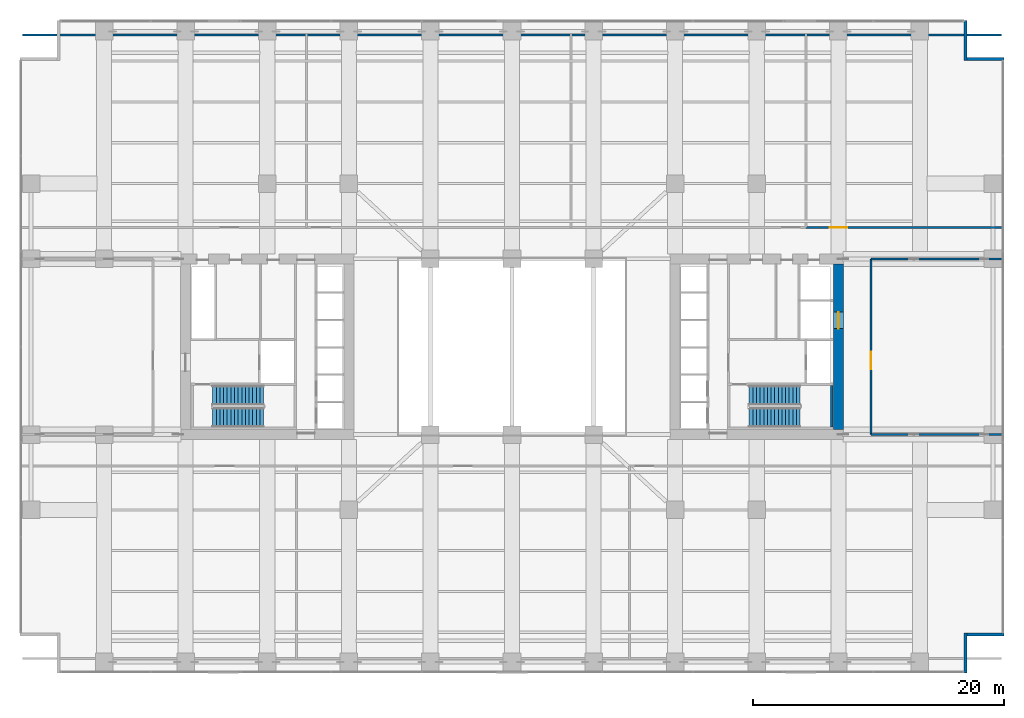
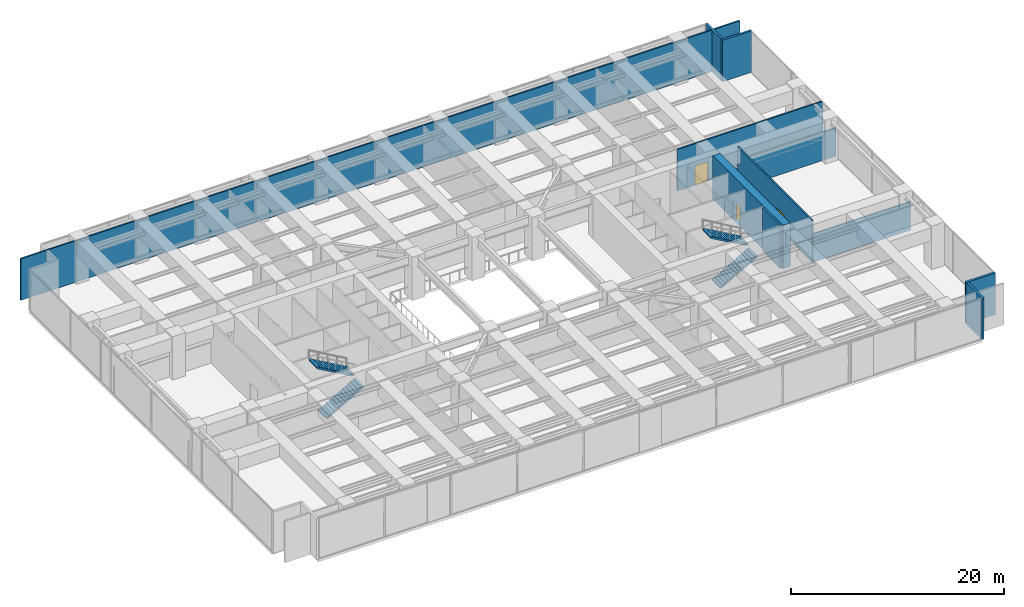
# One storey, part 27 of 31: 11 walls, 4 stair flights, 3 doors, 3 openings, 2 elements without a shape of their own.
"""IFC4 building model written with IfcOpenShell, lengths in metres."""

from ifc_helpers import new_model, si_unit, direction, frame, frame_2d, origin, place, context, subcontext, project, spatial, polyline, rectangle, outline, extrude, material, layer, layer_set, type_object, element, fill, aggregate, save


model = new_model("IFC4")

# Units and contexts
model_context = context("Model", 3, precision=1e-05, world=origin(), true_north=direction((0.0, 1.0)))
body_context = subcontext(model_context, "Body", "Model", "MODEL_VIEW")
ifc_project = project(units=[si_unit("LENGTHUNIT", "METRE"), si_unit("AREAUNIT", "SQUARE_METRE"), si_unit("VOLUMEUNIT", "CUBIC_METRE"), si_unit("PLANEANGLEUNIT", "RADIAN"), si_unit("MASSUNIT", "GRAM", prefix="KILO")], contexts=[model_context])

# Site, building, storey
site_placement = place(None, origin())
site = spatial("IfcSite", under=ifc_project, at=site_placement, CompositionType="ELEMENT")
building_placement = place(site_placement, origin())
building = spatial("IfcBuilding", under=site, at=building_placement, Name="Putna Gate Headquarters", CompositionType="ELEMENT")
storey_placement = place(building_placement, frame((0.0, 0.0, 81.0)))
storey = spatial("IfcBuildingStorey", under=building, at=storey_placement, Name="L19", CompositionType="ELEMENT", Elevation=81.0)

# Wall, opening, door
ifc_material_1 = material(Name="Concrete C60/75", Category="concrete")
ifc_layer_1 = layer(ifc_material_1, 0.800048828125)
ifc_layer_set_1 = layer_set([ifc_layer_1], Name="Concrete C60/75")
wall_type_1 = type_object("IfcWallType", Name="WALL-CORE-800", PredefinedType="SHEAR", material=ifc_layer_set_1)
wall_1_placement = place(storey_placement, frame((65.0, 19.39990234375, 0.0), z_axis=(0.0, 0.0, 1.0), x_axis=(0.0, 1.0, 0.0)))
wall_1 = element("IfcWall", 1, at=wall_1_placement, inside=storey, type_object=wall_type_1, Name="L19 EC Split Core Shear Wall E", PredefinedType="SHEAR", context=body_context, shape_type="SweptSolid", body=[
    extrude(rectangle(XDim=13.2001953125, YDim=0.800048828125, at=frame_2d((6.60009765625, 0.0))), origin(), (0.0, 0.0, 1.0), 5.0),
])
opening_1_placement = place(wall_1_placement, frame((8.050048828125, 0.0, 0.0)))
opening_1 = element("IfcOpeningElement", 2, at=opening_1_placement, cuts=wall_1, Name="Opening LD-2", PredefinedType="OPENING", context=body_context, shape_type="SweptSolid", body=[
    extrude(rectangle(XDim=1.300048828125, YDim=2.199951171875, at=frame_2d((0.64990234375, 1.10009765625))), frame((0.0, 0.409912109375, 0.0), z_axis=(0.0, -1.0, 0.0), x_axis=(1.0, 0.0, 0.0)), (0.0, 0.0, 1.0), 0.820068359375),
])
ifc_material_2 = material(Name="Heavy-duty goods lift sliding landing door")
door_type_1 = type_object("IfcDoorType", Name="DOOR-LIFT-1300", OperationType="DOUBLE_DOOR_SLIDING", PredefinedType="DOOR", material=ifc_material_2)
door_1_placement = place(opening_1_placement, origin())
door_1 = element("IfcDoor", 3, at=door_1_placement, inside=storey, type_object=door_type_1, Name="L19 Goods Lift Landing Door LD-15", OperationType="DOUBLE_DOOR_SLIDING", OverallHeight=2.199951171875, OverallWidth=1.300048828125, PredefinedType="DOOR", context=body_context, shape_type="SweptSolid", body=[
    extrude(rectangle(XDim=1.300048828125, YDim=2.199951171875, at=frame_2d((0.64990234375, 1.10009765625))), frame((0.0, 0.02490234375, 0.0), z_axis=(0.0, -1.0, 0.0), x_axis=(1.0, 0.0, 0.0)), (0.0, 0.0, 1.0), 0.050048828125),
])
fill(opening_1, door_1)

# Walls
ifc_material_3 = material(Name="Precast concrete C40/50", Category="concrete")
ifc_layer_2 = layer(ifc_material_3, 0.239990234375)
ifc_layer_set_2 = layer_set([ifc_layer_2], Name="Precast concrete C40/50")
wall_type_2 = type_object("IfcWallType", Name="WALL-EXT-TERR-240", PredefinedType="STANDARD", material=ifc_layer_set_2)
for number, where, z_axis, x_axis, name in (
    (4, (75.1201171875, 52.0, 0.0), (0.0, 0.0, 1.0), (0.0, -1.0, 0.0), "L19 Corner Notch Return Wall NE-V"),
    (5, (75.0, 48.919921875, 0.0), (0.0, 0.0, 1.0), (1.0, 0.0, 0.0), "L19 Corner Notch Return Wall NE-H"),
    (6, (75.1201171875, 3.199951171875, 0.0), (0.0, 0.0, 1.0), (0.0, -1.0, 0.0), "L19 Corner Notch Return Wall SE-V"),
    (7, (78.199951171875, 3.080078125, 0.0), (0.0, 0.0, 1.0), (-1.0, 0.0, 0.0), "L19 Corner Notch Return Wall SE-H"),
):
    element("IfcWall", number, at=place(storey_placement, frame(where, z_axis=z_axis, x_axis=x_axis)), inside=storey, type_object=wall_type_2, Name=name, PredefinedType="STANDARD", context=body_context, shape_type="SweptSolid", body=[
        extrude(rectangle(XDim=3.199951171875, YDim=0.239990234375, at=frame_2d((1.60009765625, 0.0))), origin(), (0.0, 0.0, 1.0), 4.764892578125),
    ])
ifc_material_4 = material(Name="Concrete C40/50", Category="concrete")
ifc_layer_3 = layer(ifc_material_4, 0.159912109375)
ifc_layer_set_3 = layer_set([ifc_layer_3], Name="Concrete C40/50")
wall_type_3 = type_object("IfcWallType", Name="WALL-SHAFT-160", PredefinedType="STANDARD", material=ifc_layer_set_3)
wall_2_placement = place(storey_placement, frame((-0.02001953125, 50.830078125, 0.0), z_axis=(0.0, 0.0, 1.0), x_axis=(1.0, 0.0, 0.0)))
element("IfcWall", 8, at=wall_2_placement, inside=storey, type_object=wall_type_3, Name="L19 Interior Wall PART-L19-BELT-N", PredefinedType="STANDARD", context=body_context, shape_type="SweptSolid", body=[
    extrude(rectangle(XDim=78.0400390625, YDim=0.159912109375, at=frame_2d((39.02001953125, 0.0))), origin(), (0.0, 0.0, 1.0), 4.764892578125),
])

# Wall, opening, door
wall_3_placement = place(storey_placement, frame((67.60009765625, 19.0, 0.0), z_axis=(0.0, 0.0, 1.0), x_axis=(0.0, 1.0, 0.0)))
wall_3 = element("IfcWall", 9, at=wall_3_placement, inside=storey, type_object=wall_type_3, Name="L19 Interior Wall PART-L19-REFE", PredefinedType="STANDARD", context=body_context, shape_type="SweptSolid", body=[
    extrude(rectangle(XDim=14.0, YDim=0.159912109375, at=frame_2d((7.0, 0.0))), origin(), (0.0, 0.0, 1.0), 4.764892578125),
])
opening_2_placement = place(wall_3_placement, frame((5.199951171875, 0.0, 0.0)))
opening_2 = element("IfcOpeningElement", 10, at=opening_2_placement, cuts=wall_3, Name="Opening FDD-140", PredefinedType="OPENING", context=body_context, shape_type="SweptSolid", body=[
    extrude(rectangle(XDim=1.39990234375, YDim=2.199951171875, at=frame_2d((0.699951171875, 1.10009765625))), frame((0.0, 0.08984375, 0.0), z_axis=(0.0, -1.0, 0.0), x_axis=(1.0, 0.0, 0.0)), (0.0, 0.0, 1.0), 0.179931640625),
])
ifc_material_5 = material(Name="Double steel fire door", Category="steel")
door_type_2 = type_object("IfcDoorType", Name="DOOR-FIRE-DBL-1400", OperationType="DOUBLE_DOOR_SINGLE_SWING", PredefinedType="DOOR", material=ifc_material_5)
door_2_placement = place(opening_2_placement, origin())
door_2 = element("IfcDoor", 11, at=door_2_placement, inside=storey, type_object=door_type_2, Name="L19 East Refuge Area Door", OperationType="DOUBLE_DOOR_SINGLE_SWING", OverallHeight=2.199951171875, OverallWidth=1.39990234375, PredefinedType="DOOR", context=body_context, shape_type="SweptSolid", body=[
    extrude(rectangle(XDim=1.39990234375, YDim=2.199951171875, at=frame_2d((0.699951171875, 1.10009765625))), frame((0.0, 0.02490234375, 0.0), z_axis=(0.0, -1.0, 0.0), x_axis=(1.0, 0.0, 0.0)), (0.0, 0.0, 1.0), 0.050048828125),
])
fill(opening_2, door_2)

# Walls
for number, where, z_axis, x_axis, name in (
    (12, (67.60009765625, 19.0, 0.0), (0.0, 0.0, 1.0), (1.0, 0.0, 0.0), "L19 Interior Wall PART-L19-REFE-S"),
    (13, (67.60009765625, 33.0, 0.0), (0.0, 0.0, 1.0), (1.0, 0.0, 0.0), "L19 Interior Wall PART-L19-REFE-N"),
):
    element("IfcWall", number, at=place(storey_placement, frame(where, z_axis=z_axis, x_axis=x_axis)), inside=storey, type_object=wall_type_3, Name=name, PredefinedType="STANDARD", context=body_context, shape_type="SweptSolid", body=[
        extrude(rectangle(XDim=10.579833984375, YDim=0.159912109375, at=frame_2d((5.2900390625, 0.0))), origin(), (0.0, 0.0, 1.0), 3.2451171875),
    ])

# Wall, opening, door
wall_4_placement = place(storey_placement, frame((62.412109375, 35.5, 0.0), z_axis=(0.0, 0.0, 1.0), x_axis=(1.0, 0.0, 0.0)))
wall_4 = element("IfcWall", 14, at=wall_4_placement, inside=storey, type_object=wall_type_3, Name="L19 Interior Wall PART-L19-PN-CW4", PredefinedType="STANDARD", context=body_context, shape_type="SweptSolid", body=[
    extrude(rectangle(XDim=15.767822265625, YDim=0.159912109375, at=frame_2d((7.8837890625, 0.0))), origin(), (0.0, 0.0, 1.0), 4.764892578125),
])
opening_3_placement = place(wall_4_placement, frame((1.89404296875, 0.0, 0.0)))
opening_3 = element("IfcOpeningElement", 15, at=opening_3_placement, cuts=wall_4, Name="Opening FDD-140", PredefinedType="OPENING", context=body_context, shape_type="SweptSolid", body=[
    extrude(rectangle(XDim=1.39990234375, YDim=2.199951171875, at=frame_2d((0.699951171875, 1.10009765625))), frame((0.0, 0.08984375, 0.0), z_axis=(0.0, -1.0, 0.0), x_axis=(1.0, 0.0, 0.0)), (0.0, 0.0, 1.0), 0.179931640625),
])
door_3_placement = place(opening_3_placement, origin())
door_3 = element("IfcDoor", 16, at=door_3_placement, inside=storey, type_object=door_type_2, Name="L19 BMS and Telecoms Control Plant Room Door", OperationType="DOUBLE_DOOR_SINGLE_SWING", OverallHeight=2.199951171875, OverallWidth=1.39990234375, PredefinedType="DOOR", context=body_context, shape_type="SweptSolid", body=[
    extrude(rectangle(XDim=1.39990234375, YDim=2.199951171875, at=frame_2d((0.699951171875, 1.10009765625))), frame((0.0, 0.02490234375, 0.0), z_axis=(0.0, -1.0, 0.0), x_axis=(1.0, 0.0, 0.0)), (0.0, 0.0, 1.0), 0.050048828125),
])
fill(opening_3, door_3)

# Wall
ifc_layer_4 = layer(ifc_material_4, 0.199951171875)
ifc_layer_set_4 = layer_set([ifc_layer_4], Name="Concrete C40/50")
wall_type_4 = type_object("IfcWallType", Name="WALL-SHAFT-RC200", PredefinedType="SHEAR", material=ifc_layer_set_4)
wall_5_placement = place(storey_placement, frame((64.489990234375, 19.610107421875, 0.0), z_axis=(0.0, 0.0, 1.0), x_axis=(0.0, 1.0, 0.0)))
element("IfcWall", 17, at=wall_5_placement, inside=storey, type_object=wall_type_4, Name="L19 Stair ST2 Structural Shaft Wall E", PredefinedType="SHEAR", context=body_context, shape_type="SweptSolid", body=[
    extrude(rectangle(XDim=3.27978515625, YDim=0.199951171875, at=frame_2d((1.639892578125, 0.0))), origin(), (0.0, 0.0, 1.0), 5.0),
])

# Stair, stair flights
stair_type_1 = type_object("IfcStairType", Name="STAIR-ST1", PredefinedType="HALF_TURN_STAIR", material=ifc_material_4)
stair_1_placement = place(storey_placement, origin())
stair_1 = element("IfcStair", 18, at=stair_1_placement, inside=storey, type_object=stair_type_1, Name="L19 West Core Exit Stair ST1", PredefinedType="HALF_TURN_STAIR")
stair_flight_type_1 = type_object("IfcStairFlightType", Name="FLIGHT-ST1", PredefinedType="STRAIGHT", material=ifc_material_4)
stair_flight_1_placement = place(storey_placement, frame((15.14990234375, 20.375, 0.0), z_axis=(0.0, 0.0, 1.0), x_axis=(1.0, 0.0, 0.0)))
stair_flight_1 = element("IfcStairFlight", 19, at=stair_flight_1_placement, type_object=stair_flight_type_1, Name="ST1 flight 1", NumberOfRisers=15, NumberOfTreads=14, PredefinedType="STRAIGHT", RiserHeight=0.166666667, TreadLength=0.29, context=body_context, shape_type="SweptSolid", body=[
    extrude(outline(polyline([(0.0, 0.0), (0.0, 0.166748046875), (0.2900390625, 0.166748046875), (0.2900390625, 0.333251953125), (0.580078125, 0.333251953125), (0.580078125, 0.5), (0.8701171875, 0.5), (0.8701171875, 0.666748046875), (1.159912109375, 0.666748046875), (1.159912109375, 0.833251953125), (1.449951171875, 0.833251953125), (1.449951171875, 1.0), (1.739990234375, 1.0), (1.739990234375, 1.166748046875), (2.030029296875, 1.166748046875), (2.030029296875, 1.333251953125), (2.320068359375, 1.333251953125), (2.320068359375, 1.5), (2.610107421875, 1.5), (2.610107421875, 1.666748046875), (2.89990234375, 1.666748046875), (2.89990234375, 1.833251953125), (3.18994140625, 1.833251953125), (3.18994140625, 2.0), (3.47998046875, 2.0), (3.47998046875, 2.166748046875), (3.77001953125, 2.166748046875), (3.77001953125, 2.333251953125), (4.06005859375, 2.333251953125), (4.06005859375, 2.5), (4.06005859375, 2.160400390625), (0.30078125, 0.0), (0.0, 0.0)])), frame((0.0, 0.77490234375, 0.0), z_axis=(0.0, -1.0, 0.0), x_axis=(1.0, 0.0, 0.0)), (0.0, 0.0, 1.0), 1.550048828125),
])
stair_flight_2_placement = place(storey_placement, frame((19.2099609375, 22.125, 2.5), z_axis=(0.0, 0.0, 1.0), x_axis=(-1.0, 0.0, 0.0)))
stair_flight_2 = element("IfcStairFlight", 20, at=stair_flight_2_placement, type_object=stair_flight_type_1, Name="ST1 flight 2", NumberOfRisers=15, NumberOfTreads=14, PredefinedType="STRAIGHT", RiserHeight=0.166666667, TreadLength=0.29, context=body_context, shape_type="SweptSolid", body=[
    extrude(outline(polyline([(0.0, 0.0), (0.0, 0.166748046875), (0.2900390625, 0.166748046875), (0.2900390625, 0.333251953125), (0.580078125, 0.333251953125), (0.580078125, 0.5), (0.8701171875, 0.5), (0.8701171875, 0.666748046875), (1.159912109375, 0.666748046875), (1.159912109375, 0.833251953125), (1.449951171875, 0.833251953125), (1.449951171875, 1.0), (1.739990234375, 1.0), (1.739990234375, 1.166748046875), (2.030029296875, 1.166748046875), (2.030029296875, 1.333251953125), (2.320068359375, 1.333251953125), (2.320068359375, 1.5), (2.610107421875, 1.5), (2.610107421875, 1.666748046875), (2.89990234375, 1.666748046875), (2.89990234375, 1.833251953125), (3.18994140625, 1.833251953125), (3.18994140625, 2.0), (3.47998046875, 2.0), (3.47998046875, 2.166748046875), (3.77001953125, 2.166748046875), (3.77001953125, 2.333251953125), (4.06005859375, 2.333251953125), (4.06005859375, 2.5), (4.06005859375, 2.160400390625), (0.30078125, 0.0), (0.0, 0.0)])), frame((0.0, 0.77490234375, 0.0), z_axis=(0.0, -1.0, 0.0), x_axis=(1.0, 0.0, 0.0)), (0.0, 0.0, 1.0), 1.550048828125),
])
aggregate(stair_1, [stair_flight_1, stair_flight_2])

stair_type_2 = type_object("IfcStairType", Name="STAIR-ST2", PredefinedType="HALF_TURN_STAIR", material=ifc_material_4)
stair_2_placement = place(storey_placement, origin())
stair_2 = element("IfcStair", 21, at=stair_2_placement, inside=storey, type_object=stair_type_2, Name="L19 East Core Exit Stair ST2", PredefinedType="HALF_TURN_STAIR")
stair_flight_type_2 = type_object("IfcStairFlightType", Name="FLIGHT-ST2", PredefinedType="STRAIGHT", material=ifc_material_4)
stair_flight_3_placement = place(storey_placement, frame((57.89990234375, 20.375, 0.0), z_axis=(0.0, 0.0, 1.0), x_axis=(1.0, 0.0, 0.0)))
stair_flight_3 = element("IfcStairFlight", 22, at=stair_flight_3_placement, type_object=stair_flight_type_2, Name="ST2 flight 1", NumberOfRisers=15, NumberOfTreads=14, PredefinedType="STRAIGHT", RiserHeight=0.166666667, TreadLength=0.29, context=body_context, shape_type="SweptSolid", body=[
    extrude(outline(polyline([(0.0, 0.0), (0.0, 0.166748046875), (0.2900390625, 0.166748046875), (0.2900390625, 0.333251953125), (0.580078125, 0.333251953125), (0.580078125, 0.5), (0.8701171875, 0.5), (0.8701171875, 0.666748046875), (1.159912109375, 0.666748046875), (1.159912109375, 0.833251953125), (1.449951171875, 0.833251953125), (1.449951171875, 1.0), (1.739990234375, 1.0), (1.739990234375, 1.166748046875), (2.030029296875, 1.166748046875), (2.030029296875, 1.333251953125), (2.320068359375, 1.333251953125), (2.320068359375, 1.5), (2.610107421875, 1.5), (2.610107421875, 1.666748046875), (2.89990234375, 1.666748046875), (2.89990234375, 1.833251953125), (3.18994140625, 1.833251953125), (3.18994140625, 2.0), (3.47998046875, 2.0), (3.47998046875, 2.166748046875), (3.77001953125, 2.166748046875), (3.77001953125, 2.333251953125), (4.06005859375, 2.333251953125), (4.06005859375, 2.5), (4.06005859375, 2.160400390625), (0.30078125, 0.0), (0.0, 0.0)])), frame((0.0, 0.77490234375, 0.0), z_axis=(0.0, -1.0, 0.0), x_axis=(1.0, 0.0, 0.0)), (0.0, 0.0, 1.0), 1.550048828125),
])
stair_flight_4_placement = place(storey_placement, frame((61.9599609375, 22.125, 2.5), z_axis=(0.0, 0.0, 1.0), x_axis=(-1.0, 0.0, 0.0)))
stair_flight_4 = element("IfcStairFlight", 23, at=stair_flight_4_placement, type_object=stair_flight_type_2, Name="ST2 flight 2", NumberOfRisers=15, NumberOfTreads=14, PredefinedType="STRAIGHT", RiserHeight=0.166666667, TreadLength=0.29, context=body_context, shape_type="SweptSolid", body=[
    extrude(outline(polyline([(0.0, 0.0), (0.0, 0.166748046875), (0.2900390625, 0.166748046875), (0.2900390625, 0.333251953125), (0.580078125, 0.333251953125), (0.580078125, 0.5), (0.8701171875, 0.5), (0.8701171875, 0.666748046875), (1.159912109375, 0.666748046875), (1.159912109375, 0.833251953125), (1.449951171875, 0.833251953125), (1.449951171875, 1.0), (1.739990234375, 1.0), (1.739990234375, 1.166748046875), (2.030029296875, 1.166748046875), (2.030029296875, 1.333251953125), (2.320068359375, 1.333251953125), (2.320068359375, 1.5), (2.610107421875, 1.5), (2.610107421875, 1.666748046875), (2.89990234375, 1.666748046875), (2.89990234375, 1.833251953125), (3.18994140625, 1.833251953125), (3.18994140625, 2.0), (3.47998046875, 2.0), (3.47998046875, 2.166748046875), (3.77001953125, 2.166748046875), (3.77001953125, 2.333251953125), (4.06005859375, 2.333251953125), (4.06005859375, 2.5), (4.06005859375, 2.160400390625), (0.30078125, 0.0), (0.0, 0.0)])), frame((0.0, 0.77490234375, 0.0), z_axis=(0.0, -1.0, 0.0), x_axis=(1.0, 0.0, 0.0)), (0.0, 0.0, 1.0), 1.550048828125),
])
aggregate(stair_2, [stair_flight_3, stair_flight_4])

save(model, "model.ifc")
